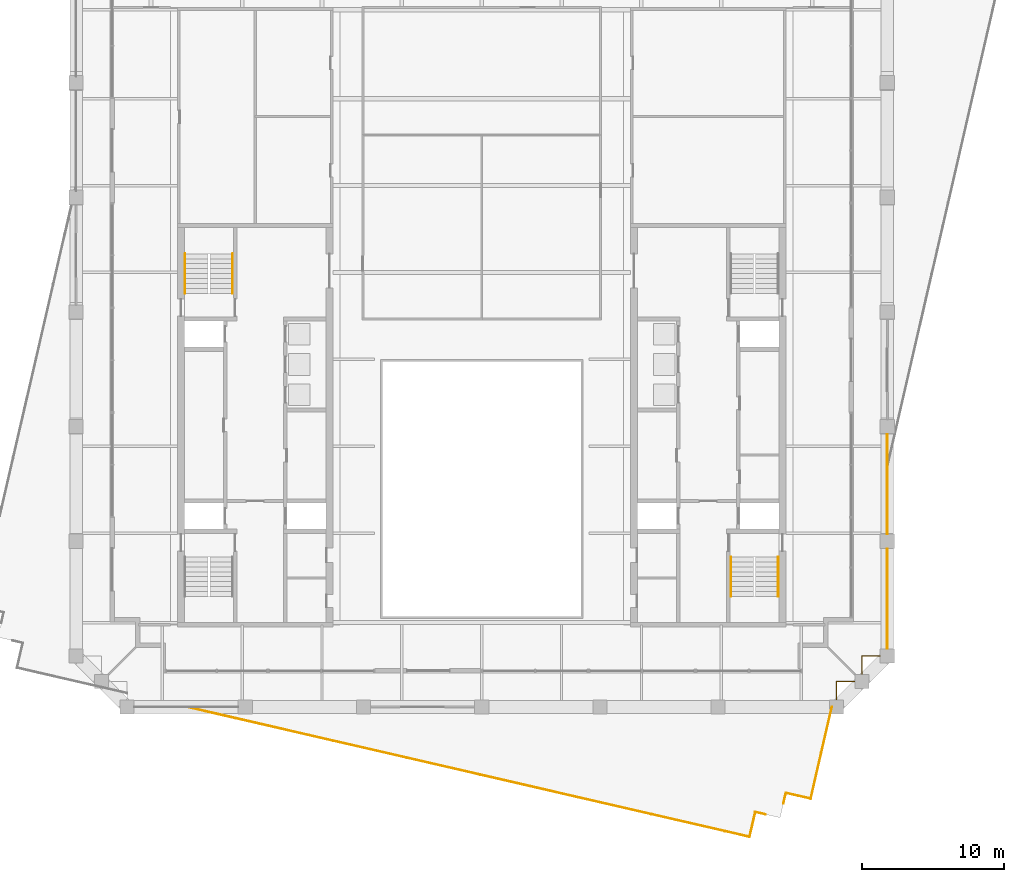
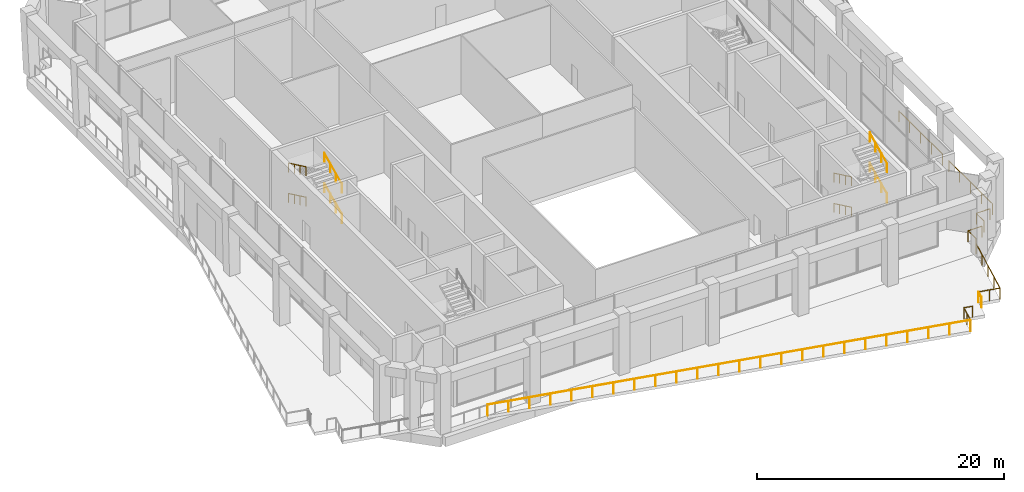
# One storey, part 17 of 20: 18 railings.
"""IFC4 building model written with IfcOpenShell, lengths in metres."""

from ifc_helpers import new_model, si_unit, direction, frame, origin, origin_2d, place, context, subcontext, project, spatial, circle, extrude, material, type_object, element, save


model = new_model("IFC4")

# Units and contexts
model_context = context("Model", 3, precision=1e-05, world=origin(), true_north=direction((0.0, 1.0)))
body_context = subcontext(model_context, "Body", "Model", "MODEL_VIEW")
ifc_project = project(units=[si_unit("LENGTHUNIT", "METRE"), si_unit("AREAUNIT", "SQUARE_METRE"), si_unit("VOLUMEUNIT", "CUBIC_METRE"), si_unit("PLANEANGLEUNIT", "RADIAN"), si_unit("MASSUNIT", "GRAM", prefix="KILO")], contexts=[model_context])

# Site, building, storey
site_placement = place(None, origin())
site = spatial("IfcSite", under=ifc_project, at=site_placement, CompositionType="ELEMENT")
building_placement = place(site_placement, origin())
building = spatial("IfcBuilding", under=site, at=building_placement, Name="Ogive Exchange Tower", CompositionType="ELEMENT")
storey_placement = place(building_placement, frame((0.0, 0.0, 303.0)))
storey = spatial("IfcBuildingStorey", under=building, at=storey_placement, Name="L66", CompositionType="ELEMENT", Elevation=303.0)

# Railings
ifc_material_1 = material(Name="Stainless steel 316", Category="steel")
railing_type_1 = type_object("IfcRailingType", Name="Balustrade 1100 glass and stainless steel", PredefinedType="BALUSTRADE", material=ifc_material_1)
railing_1_placement = place(storey_placement, frame((23.236083984375, -14.882568359375, 0.0)))
element("IfcRailing", 1, at=railing_1_placement, inside=storey, type_object=railing_type_1, Name="Terrace balustrade 1", PredefinedType="BALUSTRADE", context=body_context, shape_type="SweptSolid", body=[
    extrude(circle(Radius=0.02392578125, at=origin_2d()), frame((0.0, 0.0, 1.076171875), z_axis=(-0.974386623598, 0.224879318197, 0.0), x_axis=(-0.224879318197, -0.974386623598, 0.0)), (0.0, 0.0, 1.0), 1.800048828125),
    extrude(circle(Radius=0.02099609375, at=origin_2d()), origin(), (0.0, 0.0, 1.0), 1.052001953125),
    extrude(circle(Radius=0.02099609375, at=origin_2d()), frame((-0.876953125, 0.202392578125, 0.0)), (0.0, 0.0, 1.0), 1.052001953125),
    extrude(circle(Radius=0.02099609375, at=origin_2d()), frame((-1.75390625, 0.40478515625, 0.0)), (0.0, 0.0, 1.0), 1.052001953125),
])
railing_2_placement = place(storey_placement, frame((21.482177734375, -14.477783203125, 0.0)))
element("IfcRailing", 2, at=railing_2_placement, inside=storey, type_object=railing_type_1, Name="Terrace balustrade 2", PredefinedType="BALUSTRADE", context=body_context, shape_type="SweptSolid", body=[
    extrude(circle(Radius=0.02392578125, at=origin_2d()), frame((0.0, 0.0, 1.076171875), z_axis=(-0.224811984426, -0.974402161152, 0.0), x_axis=(0.974402161152, -0.224811984426, 0.0)), (0.0, 0.0, 1.0), 0.75048828125),
    extrude(circle(Radius=0.02099609375, at=origin_2d()), origin(), (0.0, 0.0, 1.0), 1.052001953125),
    extrude(circle(Radius=0.02099609375, at=origin_2d()), frame((-0.168701171875, -0.731201171875, 0.0)), (0.0, 0.0, 1.0), 1.052001953125),
])
railing_3_placement = place(storey_placement, frame((20.053955078125, -15.995361328125, 0.0)))
element("IfcRailing", 3, at=railing_3_placement, inside=storey, type_object=railing_type_1, Name="Terrace balustrade 3", PredefinedType="BALUSTRADE", context=body_context, shape_type="SweptSolid", body=[
    extrude(circle(Radius=0.02392578125, at=origin_2d()), frame((0.0, 0.0, 1.076171875), z_axis=(-0.974352761776, 0.225025988766, 0.0), x_axis=(-0.225025988766, -0.974352761776, 0.0)), (0.0, 0.0, 1.0), 0.749755859375),
    extrude(circle(Radius=0.02099609375, at=origin_2d()), origin(), (0.0, 0.0, 1.0), 1.052001953125),
    extrude(circle(Radius=0.02099609375, at=origin_2d()), frame((-0.73046875, 0.168701171875, 0.0)), (0.0, 0.0, 1.0), 1.052001953125),
])
railing_4_placement = place(storey_placement, frame((19.323486328125, -15.82666015625, 0.0)))
element("IfcRailing", 4, at=railing_4_placement, inside=storey, type_object=railing_type_1, Name="Terrace balustrade 4", PredefinedType="BALUSTRADE", context=body_context, shape_type="SweptSolid", body=[
    extrude(circle(Radius=0.02392578125, at=origin_2d()), frame((0.0, 0.0, 1.076171875), z_axis=(-0.225008086135, -0.974356896201, 0.0), x_axis=(0.974356896201, -0.225008086135, 0.0)), (0.0, 0.0, 1.0), 1.800048828125),
    extrude(circle(Radius=0.02099609375, at=origin_2d()), origin(), (0.0, 0.0, 1.0), 1.052001953125),
    extrude(circle(Radius=0.02099609375, at=origin_2d()), frame((-0.20263671875, -0.876953125, 0.0)), (0.0, 0.0, 1.0), 1.052001953125),
    extrude(circle(Radius=0.02099609375, at=origin_2d()), frame((-0.405029296875, -1.75390625, 0.0)), (0.0, 0.0, 1.0), 1.052001953125),
])
railing_5_placement = place(storey_placement, frame((18.91845703125, -17.58056640625, 0.0)))
element("IfcRailing", 5, at=railing_5_placement, inside=storey, type_object=railing_type_1, Name="Terrace balustrade 5", PredefinedType="BALUSTRADE", context=body_context, shape_type="SweptSolid", body=[
    extrude(circle(Radius=0.02392578125, at=origin_2d()), frame((0.0, 0.0, 1.076171875), z_axis=(-0.974368908756, 0.224956061598, 0.0), x_axis=(-0.224956061598, -0.974368908756, 0.0)), (0.0, 0.0, 1.0), 40.81103515625),
    extrude(circle(Radius=0.02099609375, at=origin_2d()), origin(), (0.0, 0.0, 1.0), 1.052001953125),
    extrude(circle(Radius=0.02099609375, at=origin_2d()), frame((-1.72900390625, 0.399169921875, 0.0)), (0.0, 0.0, 1.0), 1.052001953125),
    extrude(circle(Radius=0.02099609375, at=origin_2d()), frame((-3.457763671875, 0.79833984375, 0.0)), (0.0, 0.0, 1.0), 1.052001953125),
    extrude(circle(Radius=0.02099609375, at=origin_2d()), frame((-5.186767578125, 1.197509765625, 0.0)), (0.0, 0.0, 1.0), 1.052001953125),
    extrude(circle(Radius=0.02099609375, at=origin_2d()), frame((-6.91552734375, 1.5966796875, 0.0)), (0.0, 0.0, 1.0), 1.052001953125),
    extrude(circle(Radius=0.02099609375, at=origin_2d()), frame((-8.64453125, 1.995849609375, 0.0)), (0.0, 0.0, 1.0), 1.052001953125),
    extrude(circle(Radius=0.02099609375, at=origin_2d()), frame((-10.37353515625, 2.39501953125, 0.0)), (0.0, 0.0, 1.0), 1.052001953125),
    extrude(circle(Radius=0.02099609375, at=origin_2d()), frame((-12.102294921875, 2.794189453125, 0.0)), (0.0, 0.0, 1.0), 1.052001953125),
    extrude(circle(Radius=0.02099609375, at=origin_2d()), frame((-13.831298828125, 3.193359375, 0.0)), (0.0, 0.0, 1.0), 1.052001953125),
    extrude(circle(Radius=0.02099609375, at=origin_2d()), frame((-15.56005859375, 3.592529296875, 0.0)), (0.0, 0.0, 1.0), 1.052001953125),
    extrude(circle(Radius=0.02099609375, at=origin_2d()), frame((-17.2890625, 3.99169921875, 0.0)), (0.0, 0.0, 1.0), 1.052001953125),
    extrude(circle(Radius=0.02099609375, at=origin_2d()), frame((-19.01806640625, 4.390869140625, 0.0)), (0.0, 0.0, 1.0), 1.052001953125),
    extrude(circle(Radius=0.02099609375, at=origin_2d()), frame((-20.746826171875, 4.789794921875, 0.0)), (0.0, 0.0, 1.0), 1.052001953125),
    extrude(circle(Radius=0.02099609375, at=origin_2d()), frame((-22.475830078125, 5.18896484375, 0.0)), (0.0, 0.0, 1.0), 1.052001953125),
    extrude(circle(Radius=0.02099609375, at=origin_2d()), frame((-24.204833984375, 5.588134765625, 0.0)), (0.0, 0.0, 1.0), 1.052001953125),
    extrude(circle(Radius=0.02099609375, at=origin_2d()), frame((-25.93359375, 5.9873046875, 0.0)), (0.0, 0.0, 1.0), 1.052001953125),
    extrude(circle(Radius=0.02099609375, at=origin_2d()), frame((-27.66259765625, 6.386474609375, 0.0)), (0.0, 0.0, 1.0), 1.052001953125),
    extrude(circle(Radius=0.02099609375, at=origin_2d()), frame((-29.391357421875, 6.78564453125, 0.0)), (0.0, 0.0, 1.0), 1.052001953125),
    extrude(circle(Radius=0.02099609375, at=origin_2d()), frame((-31.120361328125, 7.184814453125, 0.0)), (0.0, 0.0, 1.0), 1.052001953125),
    extrude(circle(Radius=0.02099609375, at=origin_2d()), frame((-32.849365234375, 7.583984375, 0.0)), (0.0, 0.0, 1.0), 1.052001953125),
    extrude(circle(Radius=0.02099609375, at=origin_2d()), frame((-34.578125, 7.983154296875, 0.0)), (0.0, 0.0, 1.0), 1.052001953125),
    extrude(circle(Radius=0.02099609375, at=origin_2d()), frame((-36.30712890625, 8.38232421875, 0.0)), (0.0, 0.0, 1.0), 1.052001953125),
    extrude(circle(Radius=0.02099609375, at=origin_2d()), frame((-38.035888671875, 8.781494140625, 0.0)), (0.0, 0.0, 1.0), 1.052001953125),
    extrude(circle(Radius=0.02099609375, at=origin_2d()), frame((-39.764892578125, 9.1806640625, 0.0)), (0.0, 0.0, 1.0), 1.052001953125),
])
railing_6_placement = place(storey_placement, frame((24.732666015625, -8.39990234375, 0.0)))
element("IfcRailing", 6, at=railing_6_placement, inside=storey, type_object=railing_type_1, Name="Terrace balustrade 6", PredefinedType="BALUSTRADE", context=body_context, shape_type="SweptSolid", body=[
    extrude(circle(Radius=0.02392578125, at=origin_2d()), frame((0.0, 0.0, 1.076171875), z_axis=(-0.224942585836, -0.974372019855, 0.0), x_axis=(0.974372019855, -0.224942585836, 0.0)), (0.0, 0.0, 1.0), 6.653076171875),
    extrude(circle(Radius=0.02099609375, at=origin_2d()), origin(), (0.0, 0.0, 1.0), 1.052001953125),
    extrude(circle(Radius=0.02099609375, at=origin_2d()), frame((-0.3740234375, -1.62060546875, 0.0)), (0.0, 0.0, 1.0), 1.052001953125),
    extrude(circle(Radius=0.02099609375, at=origin_2d()), frame((-0.748291015625, -3.2412109375, 0.0)), (0.0, 0.0, 1.0), 1.052001953125),
    extrude(circle(Radius=0.02099609375, at=origin_2d()), frame((-1.12255859375, -4.862060546875, 0.0)), (0.0, 0.0, 1.0), 1.052001953125),
    extrude(circle(Radius=0.02099609375, at=origin_2d()), frame((-1.49658203125, -6.482666015625, 0.0)), (0.0, 0.0, 1.0), 1.052001953125),
])
railing_type_2 = type_object("IfcRailingType", Name="Guard 1100 stainless steel and glass", PredefinedType="GUARDRAIL", material=ifc_material_1)
for number, where, name in (
    (7, (28.64990234375, -4.280029296875, 0.0), "Loggia guard E00"),
    (8, (28.64990234375, 3.8056640625, 0.0), "Loggia guard E01"),
):
    element("IfcRailing", number, at=place(storey_placement, frame(where)), inside=storey, type_object=railing_type_2, Name=name, PredefinedType="GUARDRAIL", context=body_context, shape_type="SweptSolid", body=[
        extrude(circle(Radius=0.02392578125, at=origin_2d()), frame((0.0, 0.0, 1.076171875), z_axis=(0.0, 1.0, 0.0), x_axis=(-1.0, 0.0, 0.0)), (0.0, 0.0, 1.0), 7.045654296875),
        extrude(circle(Radius=0.02099609375, at=origin_2d()), origin(), (0.0, 0.0, 1.0), 1.052001953125),
        extrude(circle(Radius=0.02099609375, at=origin_2d()), frame((0.0, 1.761474609375, 0.0)), (0.0, 0.0, 1.0), 1.052001953125),
        extrude(circle(Radius=0.02099609375, at=origin_2d()), frame((0.0, 3.52294921875, 0.0)), (0.0, 0.0, 1.0), 1.052001953125),
        extrude(circle(Radius=0.02099609375, at=origin_2d()), frame((0.0, 5.2841796875, 0.0)), (0.0, 0.0, 1.0), 1.052001953125),
        extrude(circle(Radius=0.02099609375, at=origin_2d()), frame((0.0, 7.045654296875, 0.0)), (0.0, 0.0, 1.0), 1.052001953125),
    ])
railing_7_placement = place(storey_placement, frame((25.050048828125, -7.8798828125, 0.0)))
element("IfcRailing", 9, at=railing_7_placement, inside=storey, type_object=railing_type_2, Name="Loggia guard C11", PredefinedType="GUARDRAIL", context=body_context, shape_type="SweptSolid", body=[
    extrude(circle(Radius=0.02392578125, at=origin_2d()), frame((0.0, 0.0, 1.076171875), z_axis=(0.0, 1.0, 0.0), x_axis=(-1.0, 0.0, 0.0)), (0.0, 0.0, 1.0), 1.27978515625),
    extrude(circle(Radius=0.02392578125, at=origin_2d()), frame((0.0, 1.27978515625, 1.076171875), z_axis=(1.0, 0.0, 0.0), x_axis=(0.0, 1.0, 0.0)), (0.0, 0.0, 1.0), 1.280029296875),
    extrude(circle(Radius=0.02099609375, at=origin_2d()), origin(), (0.0, 0.0, 1.0), 1.052001953125),
    extrude(circle(Radius=0.02099609375, at=origin_2d()), frame((0.0, 1.27978515625, 0.0)), (0.0, 0.0, 1.0), 1.052001953125),
    extrude(circle(Radius=0.02099609375, at=origin_2d()), frame((1.280029296875, 1.27978515625, 0.0)), (0.0, 0.0, 1.0), 1.052001953125),
])
railing_8_placement = place(storey_placement, frame((26.85009765625, -6.080078125, 0.0)))
element("IfcRailing", 10, at=railing_8_placement, inside=storey, type_object=railing_type_2, Name="Loggia guard C12", PredefinedType="GUARDRAIL", context=body_context, shape_type="SweptSolid", body=[
    extrude(circle(Radius=0.02392578125, at=origin_2d()), frame((0.0, 0.0, 1.076171875), z_axis=(0.0, 1.0, 0.0), x_axis=(-1.0, 0.0, 0.0)), (0.0, 0.0, 1.0), 1.280029296875),
    extrude(circle(Radius=0.02392578125, at=origin_2d()), frame((0.0, 1.280029296875, 1.076171875), z_axis=(1.0, 0.0, 0.0), x_axis=(0.0, 1.0, 0.0)), (0.0, 0.0, 1.0), 1.27978515625),
    extrude(circle(Radius=0.02099609375, at=origin_2d()), origin(), (0.0, 0.0, 1.0), 1.052001953125),
    extrude(circle(Radius=0.02099609375, at=origin_2d()), frame((0.0, 1.280029296875, 0.0)), (0.0, 0.0, 1.0), 1.052001953125),
    extrude(circle(Radius=0.02099609375, at=origin_2d()), frame((1.27978515625, 1.280029296875, 0.0)), (0.0, 0.0, 1.0), 1.052001953125),
])
ifc_material_2 = material(Name="Stainless steel", Category="steel")
railing_type_3 = type_object("IfcRailingType", Name="Stair handrail 900", PredefinedType="HANDRAIL", material=ifc_material_2)
railing_9_placement = place(storey_placement, frame((-17.60009765625, 20.800048828125, 0.166748046875)))
element("IfcRailing", 11, at=railing_9_placement, inside=storey, type_object=railing_type_3, Name="L66 ST2 stair handrail 1", PredefinedType="HANDRAIL", context=body_context, shape_type="SweptSolid", body=[
    extrude(circle(Radius=0.02392578125, at=origin_2d()), frame((0.0, 0.0, 0.8759765625), z_axis=(0.0, 0.903337615296, 0.428930242338), x_axis=(-1.0, 0.0, 0.0)), (0.0, 0.0, 1.0), 3.1083984375),
    extrude(circle(Radius=0.02099609375, at=origin_2d()), origin(), (0.0, 0.0, 1.0), 0.851806640625),
    extrude(circle(Radius=0.02099609375, at=origin_2d()), frame((0.0, 0.93603515625, 0.4443359375)), (0.0, 0.0, 1.0), 0.851806640625),
    extrude(circle(Radius=0.02099609375, at=origin_2d()), frame((0.0, 1.871826171875, 0.888916015625)), (0.0, 0.0, 1.0), 0.851806640625),
    extrude(circle(Radius=0.02099609375, at=origin_2d()), frame((0.0, 2.807861328125, 1.333251953125)), (0.0, 0.0, 1.0), 0.851806640625),
])
railing_10_placement = place(storey_placement, frame((-20.949951171875, 23.60791015625, 1.666748046875)))
element("IfcRailing", 12, at=railing_10_placement, inside=storey, type_object=railing_type_3, Name="L66 ST2 stair handrail 2", PredefinedType="HANDRAIL", context=body_context, shape_type="SweptSolid", body=[
    extrude(circle(Radius=0.02392578125, at=origin_2d()), frame((0.0, 0.0, 0.8759765625), z_axis=(0.0, -0.903337615296, 0.428930242338), x_axis=(1.0, 0.0, 0.0)), (0.0, 0.0, 1.0), 3.1083984375),
    extrude(circle(Radius=0.02099609375, at=origin_2d()), origin(), (0.0, 0.0, 1.0), 0.851806640625),
    extrude(circle(Radius=0.02099609375, at=origin_2d()), frame((0.0, -0.93603515625, 0.4443359375)), (0.0, 0.0, 1.0), 0.851806640625),
    extrude(circle(Radius=0.02099609375, at=origin_2d()), frame((0.0, -1.871826171875, 0.888916015625)), (0.0, 0.0, 1.0), 0.851806640625),
    extrude(circle(Radius=0.02099609375, at=origin_2d()), frame((0.0, -2.807861328125, 1.333251953125)), (0.0, 0.0, 1.0), 0.851806640625),
])
railing_11_placement = place(storey_placement, frame((-17.60009765625, 20.800048828125, 3.166748046875)))
element("IfcRailing", 13, at=railing_11_placement, inside=storey, type_object=railing_type_3, Name="L66 ST2 stair handrail 3", PredefinedType="HANDRAIL", context=body_context, shape_type="SweptSolid", body=[
    extrude(circle(Radius=0.02392578125, at=origin_2d()), frame((0.0, 0.0, 0.8759765625), z_axis=(0.0, 0.903337615296, 0.428930242338), x_axis=(-1.0, 0.0, 0.0)), (0.0, 0.0, 1.0), 3.1083984375),
    extrude(circle(Radius=0.02099609375, at=origin_2d()), origin(), (0.0, 0.0, 1.0), 0.851806640625),
    extrude(circle(Radius=0.02099609375, at=origin_2d()), frame((0.0, 0.93603515625, 0.4443359375)), (0.0, 0.0, 1.0), 0.851806640625),
    extrude(circle(Radius=0.02099609375, at=origin_2d()), frame((0.0, 1.871826171875, 0.888916015625)), (0.0, 0.0, 1.0), 0.851806640625),
    extrude(circle(Radius=0.02099609375, at=origin_2d()), frame((0.0, 2.807861328125, 1.333251953125)), (0.0, 0.0, 1.0), 0.851806640625),
])
for number, where, name in (
    (14, (-20.949951171875, 23.60791015625, 4.666748046875), "L66 ST2 stair handrail 4"),
    (15, (17.60009765625, 2.199951171875, 0.166748046875), "L66 ST3 stair handrail 1"),
):
    element("IfcRailing", number, at=place(storey_placement, frame(where)), inside=storey, type_object=railing_type_3, Name=name, PredefinedType="HANDRAIL", context=body_context, shape_type="SweptSolid", body=[
        extrude(circle(Radius=0.02392578125, at=origin_2d()), frame((0.0, 0.0, 0.8759765625), z_axis=(0.0, -0.903337615296, 0.428930242338), x_axis=(1.0, 0.0, 0.0)), (0.0, 0.0, 1.0), 3.1083984375),
        extrude(circle(Radius=0.02099609375, at=origin_2d()), origin(), (0.0, 0.0, 1.0), 0.851806640625),
        extrude(circle(Radius=0.02099609375, at=origin_2d()), frame((0.0, -0.93603515625, 0.4443359375)), (0.0, 0.0, 1.0), 0.851806640625),
        extrude(circle(Radius=0.02099609375, at=origin_2d()), frame((0.0, -1.871826171875, 0.888916015625)), (0.0, 0.0, 1.0), 0.851806640625),
        extrude(circle(Radius=0.02099609375, at=origin_2d()), frame((0.0, -2.807861328125, 1.333251953125)), (0.0, 0.0, 1.0), 0.851806640625),
    ])
railing_12_placement = place(storey_placement, frame((20.949951171875, -0.60791015625, 1.666748046875)))
element("IfcRailing", 16, at=railing_12_placement, inside=storey, type_object=railing_type_3, Name="L66 ST3 stair handrail 2", PredefinedType="HANDRAIL", context=body_context, shape_type="SweptSolid", body=[
    extrude(circle(Radius=0.02392578125, at=origin_2d()), frame((0.0, 0.0, 0.8759765625), z_axis=(0.0, 0.903337615296, 0.428930242338), x_axis=(-1.0, 0.0, 0.0)), (0.0, 0.0, 1.0), 3.1083984375),
    extrude(circle(Radius=0.02099609375, at=origin_2d()), origin(), (0.0, 0.0, 1.0), 0.851806640625),
    extrude(circle(Radius=0.02099609375, at=origin_2d()), frame((0.0, 0.93603515625, 0.4443359375)), (0.0, 0.0, 1.0), 0.851806640625),
    extrude(circle(Radius=0.02099609375, at=origin_2d()), frame((0.0, 1.871826171875, 0.888916015625)), (0.0, 0.0, 1.0), 0.851806640625),
    extrude(circle(Radius=0.02099609375, at=origin_2d()), frame((0.0, 2.807861328125, 1.333251953125)), (0.0, 0.0, 1.0), 0.851806640625),
])
railing_13_placement = place(storey_placement, frame((17.60009765625, 2.199951171875, 3.166748046875)))
element("IfcRailing", 17, at=railing_13_placement, inside=storey, type_object=railing_type_3, Name="L66 ST3 stair handrail 3", PredefinedType="HANDRAIL", context=body_context, shape_type="SweptSolid", body=[
    extrude(circle(Radius=0.02392578125, at=origin_2d()), frame((0.0, 0.0, 0.8759765625), z_axis=(0.0, -0.903337615296, 0.428930242338), x_axis=(1.0, 0.0, 0.0)), (0.0, 0.0, 1.0), 3.1083984375),
    extrude(circle(Radius=0.02099609375, at=origin_2d()), origin(), (0.0, 0.0, 1.0), 0.851806640625),
    extrude(circle(Radius=0.02099609375, at=origin_2d()), frame((0.0, -0.93603515625, 0.4443359375)), (0.0, 0.0, 1.0), 0.851806640625),
    extrude(circle(Radius=0.02099609375, at=origin_2d()), frame((0.0, -1.871826171875, 0.888916015625)), (0.0, 0.0, 1.0), 0.851806640625),
    extrude(circle(Radius=0.02099609375, at=origin_2d()), frame((0.0, -2.807861328125, 1.333251953125)), (0.0, 0.0, 1.0), 0.851806640625),
])
railing_14_placement = place(storey_placement, frame((20.949951171875, -0.60791015625, 4.666748046875)))
element("IfcRailing", 18, at=railing_14_placement, inside=storey, type_object=railing_type_3, Name="L66 ST3 stair handrail 4", PredefinedType="HANDRAIL", context=body_context, shape_type="SweptSolid", body=[
    extrude(circle(Radius=0.02392578125, at=origin_2d()), frame((0.0, 0.0, 0.8759765625), z_axis=(0.0, 0.903337615296, 0.428930242338), x_axis=(-1.0, 0.0, 0.0)), (0.0, 0.0, 1.0), 3.1083984375),
    extrude(circle(Radius=0.02099609375, at=origin_2d()), origin(), (0.0, 0.0, 1.0), 0.851806640625),
    extrude(circle(Radius=0.02099609375, at=origin_2d()), frame((0.0, 0.93603515625, 0.4443359375)), (0.0, 0.0, 1.0), 0.851806640625),
    extrude(circle(Radius=0.02099609375, at=origin_2d()), frame((0.0, 1.871826171875, 0.888916015625)), (0.0, 0.0, 1.0), 0.851806640625),
    extrude(circle(Radius=0.02099609375, at=origin_2d()), frame((0.0, 2.807861328125, 1.333251953125)), (0.0, 0.0, 1.0), 0.851806640625),
])

save(model, "model.ifc")
